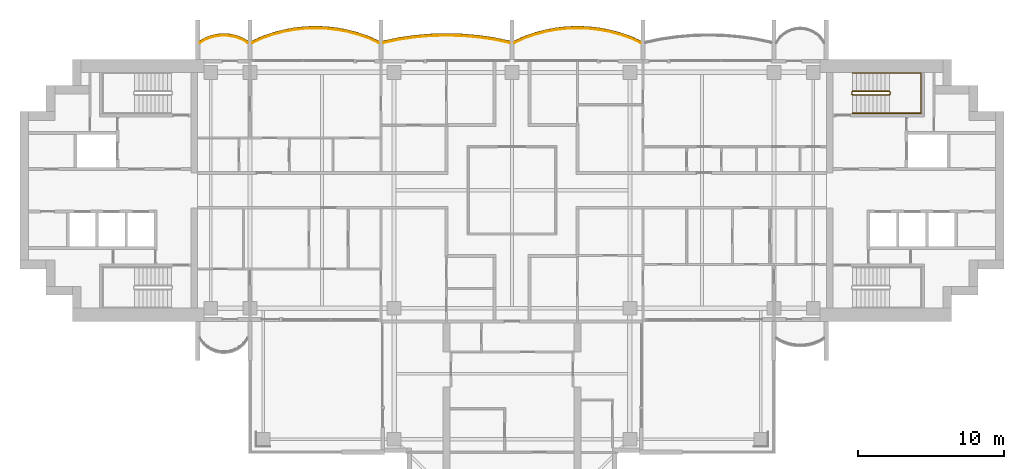
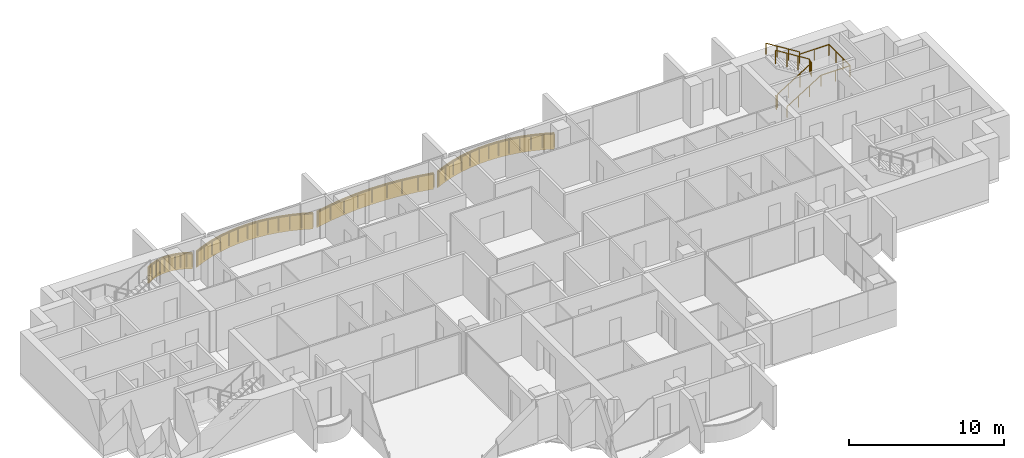
# One storey, part 16 of 17: 6 railings, 4 coverings.
"""IFC4 building model written with IfcOpenShell, lengths in metres."""

from ifc_helpers import new_model, si_unit, direction, frame, origin, origin_2d, place, context, subcontext, project, spatial, polyline, rectangle, outline, extrude, material, layer, layer_set, type_object, element, save


model = new_model("IFC4")

# Units and contexts
model_context = context("Model", 3, precision=1e-05, world=origin(), true_north=direction((0.0, 1.0)))
body_context = subcontext(model_context, "Body", "Model", "MODEL_VIEW")
ifc_project = project(units=[si_unit("LENGTHUNIT", "METRE"), si_unit("AREAUNIT", "SQUARE_METRE"), si_unit("VOLUMEUNIT", "CUBIC_METRE"), si_unit("PLANEANGLEUNIT", "RADIAN"), si_unit("MASSUNIT", "GRAM", prefix="KILO")], contexts=[model_context])

# Site, building, storey
site_placement = place(None, origin())
site = spatial("IfcSite", under=ifc_project, at=site_placement, CompositionType="ELEMENT")
building_placement = place(site_placement, origin())
building = spatial("IfcBuilding", under=site, at=building_placement, Name="Perihelion Cross Residences", CompositionType="ELEMENT")
storey_placement = place(building_placement, frame((0.0, 0.0, 212.10009765625)))
storey = spatial("IfcBuildingStorey", under=building, at=storey_placement, Name="L53", CompositionType="ELEMENT", Elevation=212.10009765625)

# Coverings
ifc_material_1 = material(Name="Bronze anodised aluminium", Category="aluminium")
ifc_layer = layer(ifc_material_1, 0.070068359375)
ifc_layer_set = layer_set([ifc_layer], Name="Balcony fascia 1300")
covering_type = type_object("IfcCoveringType", Name="Balcony fascia 1300", PredefinedType="CLADDING", material=ifc_layer_set)
covering_1_placement = place(storey_placement, frame((0.0, 0.0, -0.2001953125)))
element("IfcCovering", 1, at=covering_1_placement, inside=storey, type_object=covering_type, Name="Fascia BF1 L53 north side east bay 1", PredefinedType="CLADDING", context=body_context, shape_type="SweptSolid", body=[
    extrude(outline(polyline([(8.150634765625, 10.582275390625), (7.42041015625, 10.83544921875), (6.690185546875, 11.028076171875), (5.960205078125, 11.1630859375), (5.22998046875, 11.243408203125), (4.5, 11.27001953125), (3.77001953125, 11.243408203125), (3.039794921875, 11.1630859375), (2.309814453125, 11.028076171875), (1.57958984375, 10.83544921875), (0.849365234375, 10.582275390625), (0.14990234375, 10.2763671875), (0.14990234375, 10.199951171875), (0.875, 10.51708984375), (1.60009765625, 10.7685546875), (2.324951171875, 10.959716796875), (3.050048828125, 11.093994140625), (3.77490234375, 11.173583984375), (4.5, 11.199951171875), (5.22509765625, 11.173583984375), (5.949951171875, 11.093994140625), (6.675048828125, 10.959716796875), (7.39990234375, 10.7685546875), (8.125, 10.51708984375), (8.85009765625, 10.199951171875), (8.85009765625, 10.2763671875), (8.150634765625, 10.582275390625)])), origin(), (0.0, 0.0, 1.0), 1.300048828125),
])
covering_2_placement = place(storey_placement, frame((0.0, 0.0, -0.2001953125)))
element("IfcCovering", 2, at=covering_2_placement, inside=storey, type_object=covering_type, Name="Fascia BF1 L53 north side east bay 2", PredefinedType="CLADDING", context=body_context, shape_type="SweptSolid", body=[
    extrude(outline(polyline([(-1.2255859375, 10.4892578125), (-2.317138671875, 10.645751953125), (-3.408447265625, 10.739013671875), (-4.5, 10.77001953125), (-5.591552734375, 10.739013671875), (-6.682861328125, 10.645751953125), (-7.7744140625, 10.4892578125), (-8.85009765625, 10.271484375), (-8.85009765625, 10.199951171875), (-7.762451171875, 10.42041015625), (-6.675048828125, 10.576171875), (-5.58740234375, 10.669189453125), (-4.5, 10.699951171875), (-3.41259765625, 10.669189453125), (-2.324951171875, 10.576171875), (-1.237548828125, 10.42041015625), (-0.14990234375, 10.199951171875), (-0.14990234375, 10.271484375), (-1.2255859375, 10.4892578125)])), origin(), (0.0, 0.0, 1.0), 1.300048828125),
])
covering_3_placement = place(storey_placement, frame((0.0, 0.0, -0.2001953125)))
element("IfcCovering", 3, at=covering_3_placement, inside=storey, type_object=covering_type, Name="Fascia BF1 L53 west side north bay 1", PredefinedType="CLADDING", context=body_context, shape_type="SweptSolid", body=[
    extrude(outline(polyline([(-9.849365234375, 10.582275390625), (-10.57958984375, 10.83544921875), (-11.309814453125, 11.028076171875), (-12.039794921875, 11.1630859375), (-12.77001953125, 11.243408203125), (-13.5, 11.27001953125), (-14.22998046875, 11.243408203125), (-14.960205078125, 11.1630859375), (-15.690185546875, 11.028076171875), (-16.42041015625, 10.83544921875), (-17.150634765625, 10.582275390625), (-17.85009765625, 10.2763671875), (-17.85009765625, 10.199951171875), (-17.125, 10.51708984375), (-16.39990234375, 10.7685546875), (-15.675048828125, 10.959716796875), (-14.949951171875, 11.093994140625), (-14.22509765625, 11.173583984375), (-13.5, 11.199951171875), (-12.77490234375, 11.173583984375), (-12.050048828125, 11.093994140625), (-11.324951171875, 10.959716796875), (-10.60009765625, 10.7685546875), (-9.875, 10.51708984375), (-9.14990234375, 10.199951171875), (-9.14990234375, 10.2763671875), (-9.849365234375, 10.582275390625)])), origin(), (0.0, 0.0, 1.0), 1.300048828125),
])
covering_4_placement = place(storey_placement, frame((0.0, 0.0, -0.2001953125)))
element("IfcCovering", 4, at=covering_4_placement, inside=storey, type_object=covering_type, Name="Fascia BF1 L53 west side north bay 2", PredefinedType="CLADDING", context=body_context, shape_type="SweptSolid", body=[
    extrude(outline(polyline([(-18.486328125, 10.4716796875), (-18.861572265625, 10.62158203125), (-19.237060546875, 10.717529296875), (-19.6123046875, 10.76416015625), (-19.987548828125, 10.76416015625), (-20.363037109375, 10.717529296875), (-20.73828125, 10.62158203125), (-21.11376953125, 10.4716796875), (-21.449951171875, 10.280517578125), (-21.449951171875, 10.199951171875), (-21.083251953125, 10.40869140625), (-20.716552734375, 10.55517578125), (-20.35009765625, 10.648681640625), (-19.9833984375, 10.6943359375), (-19.61669921875, 10.6943359375), (-19.25, 10.648681640625), (-18.88330078125, 10.55517578125), (-18.5166015625, 10.40869140625), (-18.14990234375, 10.199951171875), (-18.14990234375, 10.280517578125), (-18.486328125, 10.4716796875)])), origin(), (0.0, 0.0, 1.0), 1.300048828125),
])

# Railings
ifc_material_2 = material(Name="Bronze anodised aluminium", Category="aluminium")
railing_type_1 = type_object("IfcRailingType", Name="Balcony guard 1100", PredefinedType="GUARDRAIL", material=ifc_material_2)
railing_1_placement = place(storey_placement, frame((8.824951171875, 10.139892578125, 0.0)))
element("IfcRailing", 5, at=railing_1_placement, inside=storey, type_object=railing_type_1, Name="Guard GU1 L53 north side east bay 1 balcony", PredefinedType="GUARDRAIL", context=body_context, shape_type="SweptSolid", body=[
    extrude(rectangle(XDim=0.048095703125, YDim=0.048095703125, at=origin_2d()), frame((0.0, 0.0, 1.076171875), z_axis=(-0.910866309087, 0.412701547089, 0.0), x_axis=(-0.412701547089, -0.910866309087, 0.0)), (0.0, 0.0, 1.0), 0.7685546875),
    extrude(rectangle(XDim=0.048095703125, YDim=0.048095703125, at=origin_2d()), frame((-0.699951171875, 0.317138671875, 1.076171875), z_axis=(-0.944796812452, 0.327656807012, 0.0), x_axis=(-0.327656807012, -0.944796812452, 0.0)), (0.0, 0.0, 1.0), 0.767578125),
    extrude(rectangle(XDim=0.048095703125, YDim=0.048095703125, at=origin_2d()), frame((-1.425048828125, 0.568603515625, 1.076171875), z_axis=(-0.966939404945, 0.255006249266, 0.0), x_axis=(-0.255006249266, -0.966939404945, 0.0)), (0.0, 0.0, 1.0), 0.749755859375),
    extrude(rectangle(XDim=0.048095703125, YDim=0.048095703125, at=origin_2d()), frame((-2.14990234375, 0.759765625, 1.076171875), z_axis=(-0.983282004984, 0.182089260182, 0.0), x_axis=(-0.182089260182, -0.983282004984, 0.0)), (0.0, 0.0, 1.0), 0.7373046875),
    extrude(rectangle(XDim=0.048095703125, YDim=0.048095703125, at=origin_2d()), frame((-2.875, 0.89404296875, 1.076171875), z_axis=(-0.994025805622, 0.109145305703, 0.0), x_axis=(-0.109145305703, -0.994025805622, 0.0)), (0.0, 0.0, 1.0), 0.729248046875),
    extrude(rectangle(XDim=0.048095703125, YDim=0.048095703125, at=origin_2d()), frame((-3.599853515625, 0.9736328125, 1.076171875), z_axis=(-0.999339497946, 0.036339618107, 0.0), x_axis=(-0.036339618107, -0.999339497946, 0.0)), (0.0, 0.0, 1.0), 0.7255859375),
    extrude(rectangle(XDim=0.048095703125, YDim=0.048095703125, at=origin_2d()), frame((-4.324951171875, 1.0, 1.076171875), z_axis=(-0.999339497946, -0.036339618107, 0.0), x_axis=(0.036339618107, -0.999339497946, 0.0)), (0.0, 0.0, 1.0), 0.7255859375),
    extrude(rectangle(XDim=0.048095703125, YDim=0.048095703125, at=origin_2d()), frame((-5.050048828125, 0.9736328125, 1.076171875), z_axis=(-0.994025805622, -0.109145305703, 0.0), x_axis=(0.109145305703, -0.994025805622, 0.0)), (0.0, 0.0, 1.0), 0.729248046875),
    extrude(rectangle(XDim=0.048095703125, YDim=0.048095703125, at=origin_2d()), frame((-5.77490234375, 0.89404296875, 1.076171875), z_axis=(-0.983282004984, -0.182089260182, 0.0), x_axis=(0.182089260182, -0.983282004984, 0.0)), (0.0, 0.0, 1.0), 0.7373046875),
    extrude(rectangle(XDim=0.048095703125, YDim=0.048095703125, at=origin_2d()), frame((-6.5, 0.759765625, 1.076171875), z_axis=(-0.966939404945, -0.255006249266, 0.0), x_axis=(0.255006249266, -0.966939404945, 0.0)), (0.0, 0.0, 1.0), 0.749755859375),
    extrude(rectangle(XDim=0.048095703125, YDim=0.048095703125, at=origin_2d()), frame((-7.224853515625, 0.568603515625, 1.076171875), z_axis=(-0.944796812452, -0.327656807012, 0.0), x_axis=(0.327656807012, -0.944796812452, 0.0)), (0.0, 0.0, 1.0), 0.767578125),
    extrude(rectangle(XDim=0.048095703125, YDim=0.048095703125, at=origin_2d()), frame((-7.949951171875, 0.317138671875, 1.076171875), z_axis=(-0.910866309087, -0.412701547089, 0.0), x_axis=(0.412701547089, -0.910866309087, 0.0)), (0.0, 0.0, 1.0), 0.7685546875),
    extrude(rectangle(XDim=0.0419921875, YDim=0.0419921875, at=origin_2d()), origin(), (0.0, 0.0, 1.0), 1.052001953125),
    extrude(rectangle(XDim=0.0419921875, YDim=0.0419921875, at=origin_2d()), frame((-0.699951171875, 0.317138671875, 0.0)), (0.0, 0.0, 1.0), 1.052001953125),
    extrude(rectangle(XDim=0.0419921875, YDim=0.0419921875, at=origin_2d()), frame((-1.425048828125, 0.568603515625, 0.0)), (0.0, 0.0, 1.0), 1.052001953125),
    extrude(rectangle(XDim=0.0419921875, YDim=0.0419921875, at=origin_2d()), frame((-2.14990234375, 0.759765625, 0.0)), (0.0, 0.0, 1.0), 1.052001953125),
    extrude(rectangle(XDim=0.0419921875, YDim=0.0419921875, at=origin_2d()), frame((-2.875, 0.89404296875, 0.0)), (0.0, 0.0, 1.0), 1.052001953125),
    extrude(rectangle(XDim=0.0419921875, YDim=0.0419921875, at=origin_2d()), frame((-3.599853515625, 0.9736328125, 0.0)), (0.0, 0.0, 1.0), 1.052001953125),
    extrude(rectangle(XDim=0.0419921875, YDim=0.0419921875, at=origin_2d()), frame((-4.324951171875, 1.0, 0.0)), (0.0, 0.0, 1.0), 1.052001953125),
    extrude(rectangle(XDim=0.0419921875, YDim=0.0419921875, at=origin_2d()), frame((-5.050048828125, 0.9736328125, 0.0)), (0.0, 0.0, 1.0), 1.052001953125),
    extrude(rectangle(XDim=0.0419921875, YDim=0.0419921875, at=origin_2d()), frame((-5.77490234375, 0.89404296875, 0.0)), (0.0, 0.0, 1.0), 1.052001953125),
    extrude(rectangle(XDim=0.0419921875, YDim=0.0419921875, at=origin_2d()), frame((-6.5, 0.759765625, 0.0)), (0.0, 0.0, 1.0), 1.052001953125),
    extrude(rectangle(XDim=0.0419921875, YDim=0.0419921875, at=origin_2d()), frame((-7.224853515625, 0.568603515625, 0.0)), (0.0, 0.0, 1.0), 1.052001953125),
    extrude(rectangle(XDim=0.0419921875, YDim=0.0419921875, at=origin_2d()), frame((-7.949951171875, 0.317138671875, 0.0)), (0.0, 0.0, 1.0), 1.052001953125),
    extrude(rectangle(XDim=0.0419921875, YDim=0.0419921875, at=origin_2d()), frame((-8.64990234375, 0.0, 0.0)), (0.0, 0.0, 1.0), 1.052001953125),
])
railing_2_placement = place(storey_placement, frame((-0.175048828125, 10.139892578125, 0.0)))
element("IfcRailing", 6, at=railing_2_placement, inside=storey, type_object=railing_type_1, Name="Guard GU1 L53 north side east bay 2 balcony", PredefinedType="GUARDRAIL", context=body_context, shape_type="SweptSolid", body=[
    extrude(rectangle(XDim=0.048095703125, YDim=0.048095703125, at=origin_2d()), frame((0.0, 0.0, 1.076171875), z_axis=(-0.979144816647, 0.203163549961, 0.0), x_axis=(-0.203163549961, -0.979144816647, 0.0)), (0.0, 0.0, 1.0), 1.085205078125),
    extrude(rectangle(XDim=0.048095703125, YDim=0.048095703125, at=origin_2d()), frame((-1.0625, 0.220458984375, 1.076171875), z_axis=(-0.98989608354, 0.141794724135, 0.0), x_axis=(-0.141794724135, -0.98989608354, 0.0)), (0.0, 0.0, 1.0), 1.098388671875),
    extrude(rectangle(XDim=0.048095703125, YDim=0.048095703125, at=origin_2d()), frame((-2.14990234375, 0.376220703125, 1.076171875), z_axis=(-0.996362942492, 0.085210837506, 0.0), x_axis=(-0.085210837506, -0.996362942492, 0.0)), (0.0, 0.0, 1.0), 1.091552734375),
    extrude(rectangle(XDim=0.048095703125, YDim=0.048095703125, at=origin_2d()), frame((-3.237548828125, 0.46923828125, 1.076171875), z_axis=(-0.999600101203, 0.028277865458, 0.0), x_axis=(-0.028277865458, -0.999600101203, 0.0)), (0.0, 0.0, 1.0), 1.087890625),
    extrude(rectangle(XDim=0.048095703125, YDim=0.048095703125, at=origin_2d()), frame((-4.324951171875, 0.5, 1.076171875), z_axis=(-0.999600101203, -0.028277865458, 0.0), x_axis=(0.028277865458, -0.999600101203, 0.0)), (0.0, 0.0, 1.0), 1.087890625),
    extrude(rectangle(XDim=0.048095703125, YDim=0.048095703125, at=origin_2d()), frame((-5.412353515625, 0.46923828125, 1.076171875), z_axis=(-0.996362942492, -0.085210837506, 0.0), x_axis=(0.085210837506, -0.996362942492, 0.0)), (0.0, 0.0, 1.0), 1.091552734375),
    extrude(rectangle(XDim=0.048095703125, YDim=0.048095703125, at=origin_2d()), frame((-6.5, 0.376220703125, 1.076171875), z_axis=(-0.98989608354, -0.141794724135, 0.0), x_axis=(0.141794724135, -0.98989608354, 0.0)), (0.0, 0.0, 1.0), 1.098388671875),
    extrude(rectangle(XDim=0.048095703125, YDim=0.048095703125, at=origin_2d()), frame((-7.58740234375, 0.220458984375, 1.076171875), z_axis=(-0.979144816647, -0.203163549961, 0.0), x_axis=(0.203163549961, -0.979144816647, 0.0)), (0.0, 0.0, 1.0), 1.085205078125),
    extrude(rectangle(XDim=0.0419921875, YDim=0.0419921875, at=origin_2d()), origin(), (0.0, 0.0, 1.0), 1.052001953125),
    extrude(rectangle(XDim=0.0419921875, YDim=0.0419921875, at=origin_2d()), frame((-1.0625, 0.220458984375, 0.0)), (0.0, 0.0, 1.0), 1.052001953125),
    extrude(rectangle(XDim=0.0419921875, YDim=0.0419921875, at=origin_2d()), frame((-2.14990234375, 0.376220703125, 0.0)), (0.0, 0.0, 1.0), 1.052001953125),
    extrude(rectangle(XDim=0.0419921875, YDim=0.0419921875, at=origin_2d()), frame((-3.237548828125, 0.46923828125, 0.0)), (0.0, 0.0, 1.0), 1.052001953125),
    extrude(rectangle(XDim=0.0419921875, YDim=0.0419921875, at=origin_2d()), frame((-4.324951171875, 0.5, 0.0)), (0.0, 0.0, 1.0), 1.052001953125),
    extrude(rectangle(XDim=0.0419921875, YDim=0.0419921875, at=origin_2d()), frame((-5.412353515625, 0.46923828125, 0.0)), (0.0, 0.0, 1.0), 1.052001953125),
    extrude(rectangle(XDim=0.0419921875, YDim=0.0419921875, at=origin_2d()), frame((-6.5, 0.376220703125, 0.0)), (0.0, 0.0, 1.0), 1.052001953125),
    extrude(rectangle(XDim=0.0419921875, YDim=0.0419921875, at=origin_2d()), frame((-7.58740234375, 0.220458984375, 0.0)), (0.0, 0.0, 1.0), 1.052001953125),
    extrude(rectangle(XDim=0.0419921875, YDim=0.0419921875, at=origin_2d()), frame((-8.64990234375, 0.0, 0.0)), (0.0, 0.0, 1.0), 1.052001953125),
])
railing_3_placement = place(storey_placement, frame((-9.175048828125, 10.139892578125, 0.0)))
element("IfcRailing", 7, at=railing_3_placement, inside=storey, type_object=railing_type_1, Name="Guard GU1 L53 west side north bay 1 balcony", PredefinedType="GUARDRAIL", context=body_context, shape_type="SweptSolid", body=[
    extrude(rectangle(XDim=0.048095703125, YDim=0.048095703125, at=origin_2d()), frame((0.0, 0.0, 1.076171875), z_axis=(-0.910866309087, 0.412701547089, 0.0), x_axis=(-0.412701547089, -0.910866309087, 0.0)), (0.0, 0.0, 1.0), 0.7685546875),
    extrude(rectangle(XDim=0.048095703125, YDim=0.048095703125, at=origin_2d()), frame((-0.699951171875, 0.317138671875, 1.076171875), z_axis=(-0.944796812452, 0.327656807012, 0.0), x_axis=(-0.327656807012, -0.944796812452, 0.0)), (0.0, 0.0, 1.0), 0.767578125),
    extrude(rectangle(XDim=0.048095703125, YDim=0.048095703125, at=origin_2d()), frame((-1.425048828125, 0.568603515625, 1.076171875), z_axis=(-0.966939404945, 0.255006249266, 0.0), x_axis=(-0.255006249266, -0.966939404945, 0.0)), (0.0, 0.0, 1.0), 0.749755859375),
    extrude(rectangle(XDim=0.048095703125, YDim=0.048095703125, at=origin_2d()), frame((-2.14990234375, 0.759765625, 1.076171875), z_axis=(-0.983282004984, 0.182089260182, 0.0), x_axis=(-0.182089260182, -0.983282004984, 0.0)), (0.0, 0.0, 1.0), 0.7373046875),
    extrude(rectangle(XDim=0.048095703125, YDim=0.048095703125, at=origin_2d()), frame((-2.875, 0.89404296875, 1.076171875), z_axis=(-0.994025805622, 0.109145305703, 0.0), x_axis=(-0.109145305703, -0.994025805622, 0.0)), (0.0, 0.0, 1.0), 0.729248046875),
    extrude(rectangle(XDim=0.048095703125, YDim=0.048095703125, at=origin_2d()), frame((-3.599853515625, 0.9736328125, 1.076171875), z_axis=(-0.999339497946, 0.036339618107, 0.0), x_axis=(-0.036339618107, -0.999339497946, 0.0)), (0.0, 0.0, 1.0), 0.7255859375),
    extrude(rectangle(XDim=0.048095703125, YDim=0.048095703125, at=origin_2d()), frame((-4.324951171875, 1.0, 1.076171875), z_axis=(-0.999339497946, -0.036339618107, 0.0), x_axis=(0.036339618107, -0.999339497946, 0.0)), (0.0, 0.0, 1.0), 0.7255859375),
    extrude(rectangle(XDim=0.048095703125, YDim=0.048095703125, at=origin_2d()), frame((-5.050048828125, 0.9736328125, 1.076171875), z_axis=(-0.994025805622, -0.109145305703, 0.0), x_axis=(0.109145305703, -0.994025805622, 0.0)), (0.0, 0.0, 1.0), 0.729248046875),
    extrude(rectangle(XDim=0.048095703125, YDim=0.048095703125, at=origin_2d()), frame((-5.77490234375, 0.89404296875, 1.076171875), z_axis=(-0.983282004984, -0.182089260182, 0.0), x_axis=(0.182089260182, -0.983282004984, 0.0)), (0.0, 0.0, 1.0), 0.7373046875),
    extrude(rectangle(XDim=0.048095703125, YDim=0.048095703125, at=origin_2d()), frame((-6.5, 0.759765625, 1.076171875), z_axis=(-0.966939404945, -0.255006249266, 0.0), x_axis=(0.255006249266, -0.966939404945, 0.0)), (0.0, 0.0, 1.0), 0.749755859375),
    extrude(rectangle(XDim=0.048095703125, YDim=0.048095703125, at=origin_2d()), frame((-7.224853515625, 0.568603515625, 1.076171875), z_axis=(-0.944796812452, -0.327656807012, 0.0), x_axis=(0.327656807012, -0.944796812452, 0.0)), (0.0, 0.0, 1.0), 0.767578125),
    extrude(rectangle(XDim=0.048095703125, YDim=0.048095703125, at=origin_2d()), frame((-7.949951171875, 0.317138671875, 1.076171875), z_axis=(-0.910866309087, -0.412701547089, 0.0), x_axis=(0.412701547089, -0.910866309087, 0.0)), (0.0, 0.0, 1.0), 0.7685546875),
    extrude(rectangle(XDim=0.0419921875, YDim=0.0419921875, at=origin_2d()), origin(), (0.0, 0.0, 1.0), 1.052001953125),
    extrude(rectangle(XDim=0.0419921875, YDim=0.0419921875, at=origin_2d()), frame((-0.699951171875, 0.317138671875, 0.0)), (0.0, 0.0, 1.0), 1.052001953125),
    extrude(rectangle(XDim=0.0419921875, YDim=0.0419921875, at=origin_2d()), frame((-1.425048828125, 0.568603515625, 0.0)), (0.0, 0.0, 1.0), 1.052001953125),
    extrude(rectangle(XDim=0.0419921875, YDim=0.0419921875, at=origin_2d()), frame((-2.14990234375, 0.759765625, 0.0)), (0.0, 0.0, 1.0), 1.052001953125),
    extrude(rectangle(XDim=0.0419921875, YDim=0.0419921875, at=origin_2d()), frame((-2.875, 0.89404296875, 0.0)), (0.0, 0.0, 1.0), 1.052001953125),
    extrude(rectangle(XDim=0.0419921875, YDim=0.0419921875, at=origin_2d()), frame((-3.599853515625, 0.9736328125, 0.0)), (0.0, 0.0, 1.0), 1.052001953125),
    extrude(rectangle(XDim=0.0419921875, YDim=0.0419921875, at=origin_2d()), frame((-4.324951171875, 1.0, 0.0)), (0.0, 0.0, 1.0), 1.052001953125),
    extrude(rectangle(XDim=0.0419921875, YDim=0.0419921875, at=origin_2d()), frame((-5.050048828125, 0.9736328125, 0.0)), (0.0, 0.0, 1.0), 1.052001953125),
    extrude(rectangle(XDim=0.0419921875, YDim=0.0419921875, at=origin_2d()), frame((-5.77490234375, 0.89404296875, 0.0)), (0.0, 0.0, 1.0), 1.052001953125),
    extrude(rectangle(XDim=0.0419921875, YDim=0.0419921875, at=origin_2d()), frame((-6.5, 0.759765625, 0.0)), (0.0, 0.0, 1.0), 1.052001953125),
    extrude(rectangle(XDim=0.0419921875, YDim=0.0419921875, at=origin_2d()), frame((-7.224853515625, 0.568603515625, 0.0)), (0.0, 0.0, 1.0), 1.052001953125),
    extrude(rectangle(XDim=0.0419921875, YDim=0.0419921875, at=origin_2d()), frame((-7.949951171875, 0.317138671875, 0.0)), (0.0, 0.0, 1.0), 1.052001953125),
    extrude(rectangle(XDim=0.0419921875, YDim=0.0419921875, at=origin_2d()), frame((-8.64990234375, 0.0, 0.0)), (0.0, 0.0, 1.0), 1.052001953125),
])
railing_4_placement = place(storey_placement, frame((-18.175048828125, 10.139892578125, 0.0)))
element("IfcRailing", 8, at=railing_4_placement, inside=storey, type_object=railing_type_1, Name="Guard GU1 L53 west side north bay 2 balcony", PredefinedType="GUARDRAIL", context=body_context, shape_type="SweptSolid", body=[
    extrude(rectangle(XDim=0.048095703125, YDim=0.048095703125, at=origin_2d()), frame((0.0, 0.0, 1.076171875), z_axis=(-0.853266756821, 0.52147467983, 0.0), x_axis=(-0.52147467983, -0.853266756821, 0.0)), (0.0, 0.0, 1.0), 0.400390625),
    extrude(rectangle(XDim=0.048095703125, YDim=0.048095703125, at=origin_2d()), frame((-0.341552734375, 0.208740234375, 1.076171875), z_axis=(-0.928647151248, 0.37096424151, 0.0), x_axis=(-0.37096424151, -0.928647151248, 0.0)), (0.0, 0.0, 1.0), 0.394775390625),
    extrude(rectangle(XDim=0.048095703125, YDim=0.048095703125, at=origin_2d()), frame((-0.708251953125, 0.355224609375, 1.076171875), z_axis=(-0.968993337782, 0.247086849781, 0.0), x_axis=(-0.247086849781, -0.968993337782, 0.0)), (0.0, 0.0, 1.0), 0.37841796875),
    extrude(rectangle(XDim=0.048095703125, YDim=0.048095703125, at=origin_2d()), frame((-1.074951171875, 0.44873046875, 1.076171875), z_axis=(-0.992338742457, 0.123546834114, 0.0), x_axis=(-0.123546834114, -0.992338742457, 0.0)), (0.0, 0.0, 1.0), 0.36962890625),
    extrude(rectangle(XDim=0.048095703125, YDim=0.048095703125, at=origin_2d()), frame((-1.441650390625, 0.494384765625, 1.076171875), z_axis=(-1.0, 0.0, 0.0), x_axis=(0.0, -1.0, 0.0)), (0.0, 0.0, 1.0), 0.36669921875),
    extrude(rectangle(XDim=0.048095703125, YDim=0.048095703125, at=origin_2d()), frame((-1.808349609375, 0.494384765625, 1.076171875), z_axis=(-0.992338742457, -0.123546834114, 0.0), x_axis=(0.123546834114, -0.992338742457, 0.0)), (0.0, 0.0, 1.0), 0.36962890625),
    extrude(rectangle(XDim=0.048095703125, YDim=0.048095703125, at=origin_2d()), frame((-2.175048828125, 0.44873046875, 1.076171875), z_axis=(-0.968953914071, -0.247241405123, 0.0), x_axis=(0.247241405123, -0.968953914071, 0.0)), (0.0, 0.0, 1.0), 0.378173828125),
    extrude(rectangle(XDim=0.048095703125, YDim=0.048095703125, at=origin_2d()), frame((-2.54150390625, 0.355224609375, 1.076171875), z_axis=(-0.928647151248, -0.37096424151, 0.0), x_axis=(0.37096424151, -0.928647151248, 0.0)), (0.0, 0.0, 1.0), 0.394775390625),
    extrude(rectangle(XDim=0.048095703125, YDim=0.048095703125, at=origin_2d()), frame((-2.908203125, 0.208740234375, 1.076171875), z_axis=(-0.853432484338, -0.521203410078, 0.0), x_axis=(0.521203410078, -0.853432484338, 0.0)), (0.0, 0.0, 1.0), 0.400390625),
    extrude(rectangle(XDim=0.0419921875, YDim=0.0419921875, at=origin_2d()), origin(), (0.0, 0.0, 1.0), 1.052001953125),
    extrude(rectangle(XDim=0.0419921875, YDim=0.0419921875, at=origin_2d()), frame((-0.341552734375, 0.208740234375, 0.0)), (0.0, 0.0, 1.0), 1.052001953125),
    extrude(rectangle(XDim=0.0419921875, YDim=0.0419921875, at=origin_2d()), frame((-0.708251953125, 0.355224609375, 0.0)), (0.0, 0.0, 1.0), 1.052001953125),
    extrude(rectangle(XDim=0.0419921875, YDim=0.0419921875, at=origin_2d()), frame((-1.074951171875, 0.44873046875, 0.0)), (0.0, 0.0, 1.0), 1.052001953125),
    extrude(rectangle(XDim=0.0419921875, YDim=0.0419921875, at=origin_2d()), frame((-1.441650390625, 0.494384765625, 0.0)), (0.0, 0.0, 1.0), 1.052001953125),
    extrude(rectangle(XDim=0.0419921875, YDim=0.0419921875, at=origin_2d()), frame((-1.808349609375, 0.494384765625, 0.0)), (0.0, 0.0, 1.0), 1.052001953125),
    extrude(rectangle(XDim=0.0419921875, YDim=0.0419921875, at=origin_2d()), frame((-2.175048828125, 0.44873046875, 0.0)), (0.0, 0.0, 1.0), 1.052001953125),
    extrude(rectangle(XDim=0.0419921875, YDim=0.0419921875, at=origin_2d()), frame((-2.54150390625, 0.355224609375, 0.0)), (0.0, 0.0, 1.0), 1.052001953125),
    extrude(rectangle(XDim=0.0419921875, YDim=0.0419921875, at=origin_2d()), frame((-2.908203125, 0.208740234375, 0.0)), (0.0, 0.0, 1.0), 1.052001953125),
    extrude(rectangle(XDim=0.0419921875, YDim=0.0419921875, at=origin_2d()), frame((-3.25, 0.0, 0.0)), (0.0, 0.0, 1.0), 1.052001953125),
])
ifc_material_3 = material(Name="Stainless steel", Category="steel")
railing_type_2 = type_object("IfcRailingType", Name="Stair guard 1100", PredefinedType="GUARDRAIL", material=ifc_material_3)
railing_5_placement = place(storey_placement, frame((23.35009765625, 6.75, 0.0)))
element("IfcRailing", 9, at=railing_5_placement, inside=storey, type_object=railing_type_2, Name="L53 ST-E1 stair guard 1", PredefinedType="GUARDRAIL", context=body_context, shape_type="SweptSolid", body=[
    extrude(rectangle(XDim=0.048095703125, YDim=0.048095703125, at=origin_2d()), frame((0.0, 0.0, 1.076171875), z_axis=(0.0, -1.0, 0.0), x_axis=(1.0, 0.0, 0.0)), (0.0, 0.0, 1.0), 0.14990234375),
    extrude(rectangle(XDim=0.048095703125, YDim=0.048095703125, at=origin_2d()), frame((0.0, -0.14990234375, 1.076171875), z_axis=(0.264179342666, -0.265474339444, 0.927217692888), x_axis=(0.708833529934, 0.705375805398, 0.0)), (0.0, 0.0, 1.0), 0.1884765625),
    extrude(rectangle(XDim=0.048095703125, YDim=0.048095703125, at=origin_2d()), frame((0.0498046875, -0.199951171875, 1.2509765625), z_axis=(0.847970611238, 0.0, 0.530043245855), x_axis=(0.0, 1.0, 0.0)), (0.0, 0.0, 1.0), 2.971923828125),
    extrude(rectangle(XDim=0.048095703125, YDim=0.048095703125, at=origin_2d()), frame((2.56982421875, -0.199951171875, 2.826171875), z_axis=(0.707106781187, 0.707106781187, 0.0), x_axis=(-0.707106781187, 0.707106781187, 0.0)), (0.0, 0.0, 1.0), 0.07080078125),
    extrude(rectangle(XDim=0.048095703125, YDim=0.048095703125, at=origin_2d()), frame((2.619873046875, -0.14990234375, 2.826171875), z_axis=(0.0, 1.0, 0.0), x_axis=(-1.0, 0.0, 0.0)), (0.0, 0.0, 1.0), 0.14990234375),
    extrude(rectangle(XDim=0.048095703125, YDim=0.048095703125, at=origin_2d()), frame((2.619873046875, 0.0, 2.826171875), z_axis=(-0.265383341853, 0.265383341853, 0.926899867156), x_axis=(-0.707106781187, -0.707106781187, 0.0)), (0.0, 0.0, 1.0), 0.1884765625),
    extrude(rectangle(XDim=0.048095703125, YDim=0.048095703125, at=origin_2d()), frame((2.56982421875, 0.050048828125, 3.0009765625), z_axis=(-0.847970611238, 0.0, 0.530043245855), x_axis=(0.0, -1.0, 0.0)), (0.0, 0.0, 1.0), 2.971923828125),
    extrude(rectangle(XDim=0.0419921875, YDim=0.0419921875, at=origin_2d()), origin(), (0.0, 0.0, 1.0), 1.052001953125),
    extrude(rectangle(XDim=0.0419921875, YDim=0.0419921875, at=origin_2d()), frame((0.0, -0.14990234375, 0.0)), (0.0, 0.0, 1.0), 1.052001953125),
    extrude(rectangle(XDim=0.0419921875, YDim=0.0419921875, at=origin_2d()), frame((0.0498046875, -0.199951171875, 0.1748046875)), (0.0, 0.0, 1.0), 1.052001953125),
    extrude(rectangle(XDim=0.0419921875, YDim=0.0419921875, at=origin_2d()), frame((0.889892578125, -0.199951171875, 0.699951171875)), (0.0, 0.0, 1.0), 1.052001953125),
    extrude(rectangle(XDim=0.0419921875, YDim=0.0419921875, at=origin_2d()), frame((1.729736328125, -0.199951171875, 1.224853515625)), (0.0, 0.0, 1.0), 1.052001953125),
    extrude(rectangle(XDim=0.0419921875, YDim=0.0419921875, at=origin_2d()), frame((2.56982421875, -0.199951171875, 1.75)), (0.0, 0.0, 1.0), 1.052001953125),
    extrude(rectangle(XDim=0.0419921875, YDim=0.0419921875, at=origin_2d()), frame((2.619873046875, -0.14990234375, 1.75)), (0.0, 0.0, 1.0), 1.052001953125),
    extrude(rectangle(XDim=0.0419921875, YDim=0.0419921875, at=origin_2d()), frame((2.619873046875, 0.0, 1.75)), (0.0, 0.0, 1.0), 1.052001953125),
    extrude(rectangle(XDim=0.0419921875, YDim=0.0419921875, at=origin_2d()), frame((2.56982421875, 0.050048828125, 1.9248046875)), (0.0, 0.0, 1.0), 1.052001953125),
    extrude(rectangle(XDim=0.0419921875, YDim=0.0419921875, at=origin_2d()), frame((1.729736328125, 0.050048828125, 2.449951171875)), (0.0, 0.0, 1.0), 1.052001953125),
    extrude(rectangle(XDim=0.0419921875, YDim=0.0419921875, at=origin_2d()), frame((0.889892578125, 0.050048828125, 2.974853515625)), (0.0, 0.0, 1.0), 1.052001953125),
    extrude(rectangle(XDim=0.0419921875, YDim=0.0419921875, at=origin_2d()), frame((0.0498046875, 0.050048828125, 3.5)), (0.0, 0.0, 1.0), 1.052001953125),
])
ifc_material_4 = material(Name="Stainless steel", Category="steel")
railing_type_3 = type_object("IfcRailingType", Name="Stair handrail 900", PredefinedType="HANDRAIL", material=ifc_material_4)
railing_6_placement = place(storey_placement, frame((23.39990234375, 5.300048828125, 0.1748046875)))
element("IfcRailing", 10, at=railing_6_placement, inside=storey, type_object=railing_type_3, Name="L53 ST-E1 stair handrail 1", PredefinedType="HANDRAIL", context=body_context, shape_type="SweptSolid", body=[
    extrude(rectangle(XDim=0.048095703125, YDim=0.048095703125, at=origin_2d()), frame((0.0, 0.0, 0.8759765625), z_axis=(0.847970611238, 0.0, 0.530043245855), x_axis=(0.0, 1.0, 0.0)), (0.0, 0.0, 1.0), 2.971923828125),
    extrude(rectangle(XDim=0.048095703125, YDim=0.048095703125, at=origin_2d()), frame((2.52001953125, 0.0, 2.451171875), z_axis=(1.0, 0.0, 0.0), x_axis=(0.0, 1.0, 0.0)), (0.0, 0.0, 1.0), 2.18017578125),
    extrude(rectangle(XDim=0.048095703125, YDim=0.048095703125, at=origin_2d()), frame((4.7001953125, 0.0, 2.451171875), z_axis=(0.0, 1.0, 0.0), x_axis=(-1.0, 0.0, 0.0)), (0.0, 0.0, 1.0), 2.75),
    extrude(rectangle(XDim=0.048095703125, YDim=0.048095703125, at=origin_2d()), frame((4.7001953125, 2.75, 2.451171875), z_axis=(-1.0, 0.0, 0.0), x_axis=(0.0, -1.0, 0.0)), (0.0, 0.0, 1.0), 2.18017578125),
    extrude(rectangle(XDim=0.048095703125, YDim=0.048095703125, at=origin_2d()), frame((2.52001953125, 2.75, 2.451171875), z_axis=(0.0, 0.0, 1.0), x_axis=(1.0, 0.0, 0.0)), (0.0, 0.0, 1.0), 0.1748046875),
    extrude(rectangle(XDim=0.048095703125, YDim=0.048095703125, at=origin_2d()), frame((2.52001953125, 2.75, 2.6259765625), z_axis=(-0.847970611238, 0.0, 0.530043245855), x_axis=(0.0, -1.0, 0.0)), (0.0, 0.0, 1.0), 2.971923828125),
    extrude(rectangle(XDim=0.0419921875, YDim=0.0419921875, at=origin_2d()), origin(), (0.0, 0.0, 1.0), 0.851806640625),
    extrude(rectangle(XDim=0.0419921875, YDim=0.0419921875, at=origin_2d()), frame((0.840087890625, 0.0, 0.525146484375)), (0.0, 0.0, 1.0), 0.851806640625),
    extrude(rectangle(XDim=0.0419921875, YDim=0.0419921875, at=origin_2d()), frame((1.679931640625, 0.0, 1.050048828125)), (0.0, 0.0, 1.0), 0.851806640625),
    extrude(rectangle(XDim=0.0419921875, YDim=0.0419921875, at=origin_2d()), frame((2.52001953125, 0.0, 1.5751953125)), (0.0, 0.0, 1.0), 0.851806640625),
    extrude(rectangle(XDim=0.0419921875, YDim=0.0419921875, at=origin_2d()), frame((3.610107421875, 0.0, 1.5751953125)), (0.0, 0.0, 1.0), 0.851806640625),
    extrude(rectangle(XDim=0.0419921875, YDim=0.0419921875, at=origin_2d()), frame((4.7001953125, 0.0, 1.5751953125)), (0.0, 0.0, 1.0), 0.851806640625),
    extrude(rectangle(XDim=0.0419921875, YDim=0.0419921875, at=origin_2d()), frame((4.7001953125, 0.916748046875, 1.5751953125)), (0.0, 0.0, 1.0), 0.851806640625),
    extrude(rectangle(XDim=0.0419921875, YDim=0.0419921875, at=origin_2d()), frame((4.7001953125, 1.833251953125, 1.5751953125)), (0.0, 0.0, 1.0), 0.851806640625),
    extrude(rectangle(XDim=0.0419921875, YDim=0.0419921875, at=origin_2d()), frame((4.7001953125, 2.75, 1.5751953125)), (0.0, 0.0, 1.0), 0.851806640625),
    extrude(rectangle(XDim=0.0419921875, YDim=0.0419921875, at=origin_2d()), frame((3.610107421875, 2.75, 1.5751953125)), (0.0, 0.0, 1.0), 0.851806640625),
    extrude(rectangle(XDim=0.0419921875, YDim=0.0419921875, at=origin_2d()), frame((2.52001953125, 2.75, 1.5751953125)), (0.0, 0.0, 1.0), 0.851806640625),
    extrude(rectangle(XDim=0.0419921875, YDim=0.0419921875, at=origin_2d()), frame((2.52001953125, 2.75, 1.75)), (0.0, 0.0, 1.0), 0.851806640625),
    extrude(rectangle(XDim=0.0419921875, YDim=0.0419921875, at=origin_2d()), frame((1.679931640625, 2.75, 2.275146484375)), (0.0, 0.0, 1.0), 0.851806640625),
    extrude(rectangle(XDim=0.0419921875, YDim=0.0419921875, at=origin_2d()), frame((0.840087890625, 2.75, 2.800048828125)), (0.0, 0.0, 1.0), 0.851806640625),
    extrude(rectangle(XDim=0.0419921875, YDim=0.0419921875, at=origin_2d()), frame((0.0, 2.75, 3.3251953125)), (0.0, 0.0, 1.0), 0.851806640625),
])

save(model, "model.ifc")
